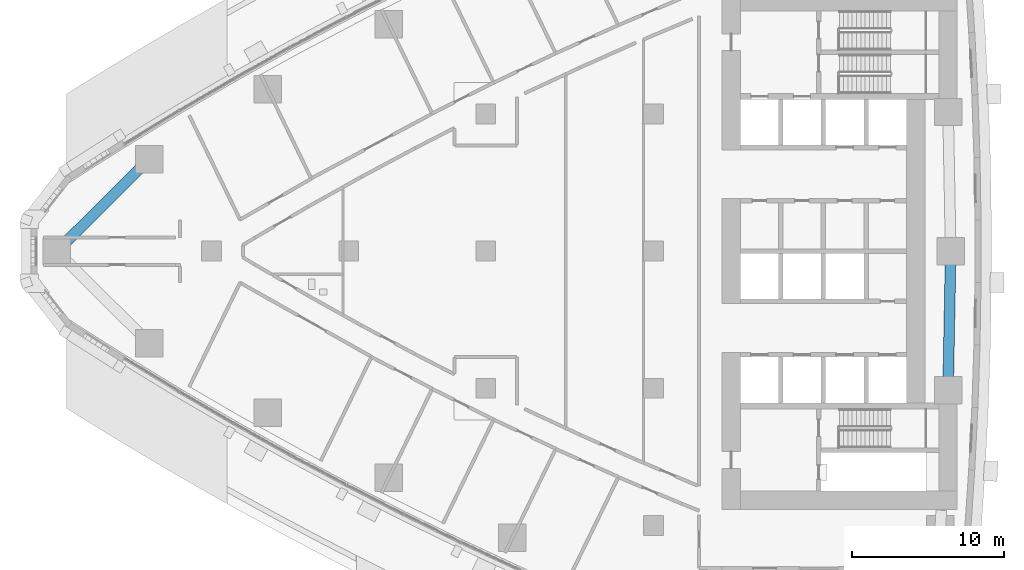
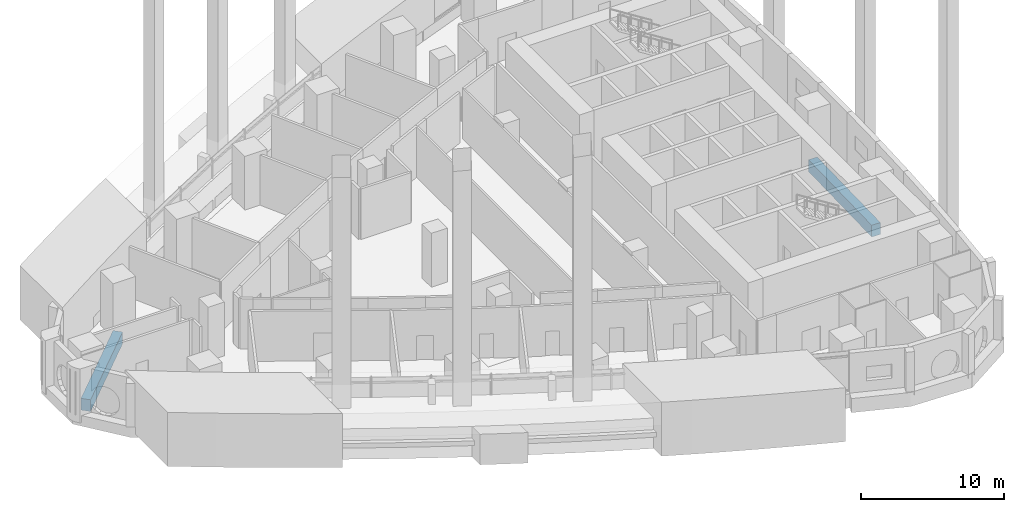
# One storey, part 4 of 20: 2 beams.
"""IFC4 building model written with IfcOpenShell, lengths in metres."""

from ifc_helpers import new_model, si_unit, direction, frame, origin, origin_2d, place, context, subcontext, project, spatial, rectangle, extrude, material, material_profile, profile_set, type_object, element, save


model = new_model("IFC4")

# Units and contexts
model_context = context("Model", 3, precision=1e-05, world=origin(), true_north=direction((0.0, 1.0)))
body_context = subcontext(model_context, "Body", "Model", "MODEL_VIEW")
ifc_project = project(units=[si_unit("LENGTHUNIT", "METRE"), si_unit("AREAUNIT", "SQUARE_METRE"), si_unit("VOLUMEUNIT", "CUBIC_METRE"), si_unit("PLANEANGLEUNIT", "RADIAN"), si_unit("MASSUNIT", "GRAM", prefix="KILO")], contexts=[model_context])

# Site, building, storey
site_placement = place(None, origin())
site = spatial("IfcSite", under=ifc_project, at=site_placement, CompositionType="ELEMENT")
building_placement = place(site_placement, origin())
building = spatial("IfcBuilding", under=site, at=building_placement, Name="Ostrand Prow Hotel Tower", CompositionType="ELEMENT")
storey_placement = place(building_placement, frame((0.0, 0.0, 35.0)))
storey = spatial("IfcBuildingStorey", under=building, at=storey_placement, Name="L06", CompositionType="ELEMENT", Elevation=35.0)

# Beams
ifc_material = material(Name="Concrete C80/95", Category="concrete")
ifc_material_profile = material_profile(ifc_material, rectangle(XDim=0.699951171875, YDim=1.0, at=origin_2d()), Name="RC 700x1000")
ifc_profile_set = profile_set([ifc_material_profile], Name="Concrete C80/95")
beam_type = type_object("IfcBeamType", Name="Edge beam 700x1000 C80/95", PredefinedType="SPANDREL", material=ifc_profile_set)
beam_1_placement = place(storey_placement, frame((64.328369140625, -9.130859375, -0.800048828125), z_axis=(0.018793471688, 0.999823387115, 0.0), x_axis=(-0.999823387115, 0.018793471688, 0.0)))
element("IfcBeam", 1, at=beam_1_placement, inside=storey, type_object=beam_type, Name="Edge beam B2-B3", PredefinedType="SPANDREL", context=body_context, shape_type="SweptSolid", body=[
    extrude(rectangle(XDim=0.699951171875, YDim=1.0, at=origin_2d()), origin(), (0.0, 0.0, 1.0), 9.132568359375),
])
beam_2_placement = place(storey_placement, frame((11.926513671875, 6.0419921875, -0.800048828125), z_axis=(-0.709211674915, -0.70499560294, 0.0), x_axis=(0.70499560294, -0.709211674915, 0.0)))
element("IfcBeam", 2, at=beam_2_placement, inside=storey, type_object=beam_type, Name="Edge beam N6-P", PredefinedType="SPANDREL", context=body_context, shape_type="SweptSolid", body=[
    extrude(rectangle(XDim=0.699951171875, YDim=1.0, at=origin_2d()), origin(), (0.0, 0.0, 1.0), 8.5703125),
])

save(model, "model.ifc")
